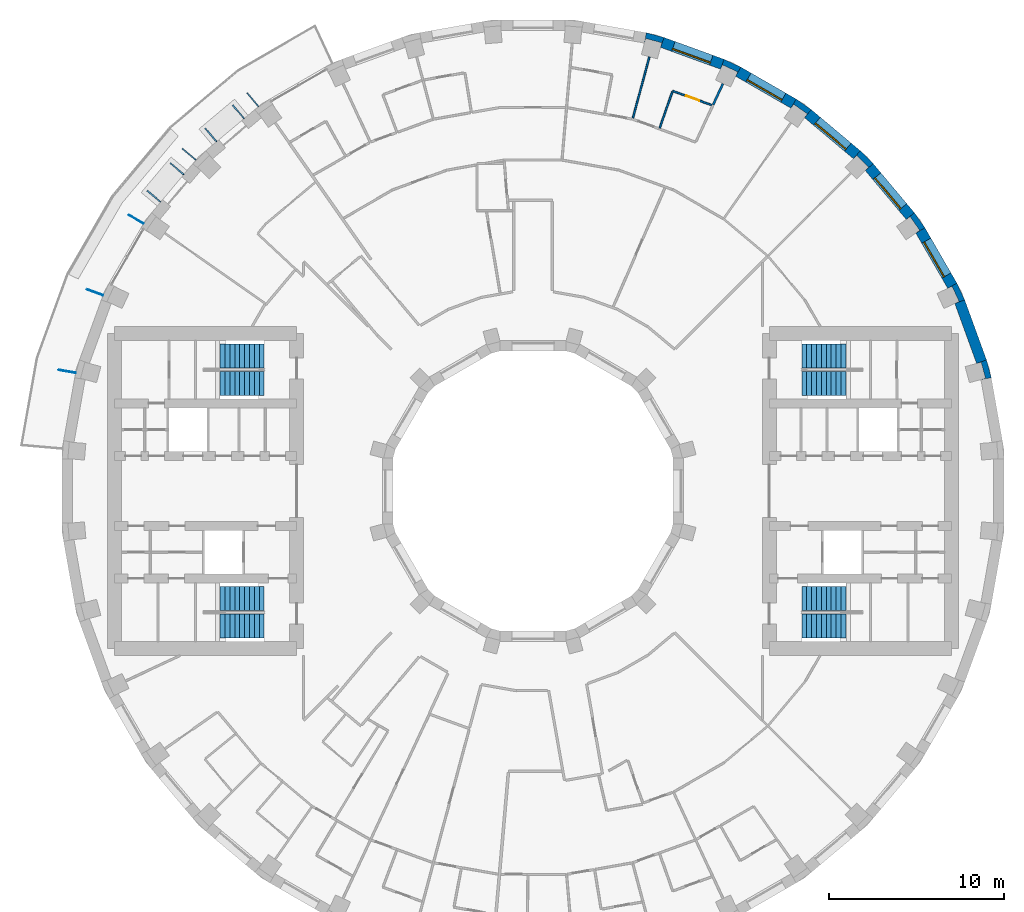
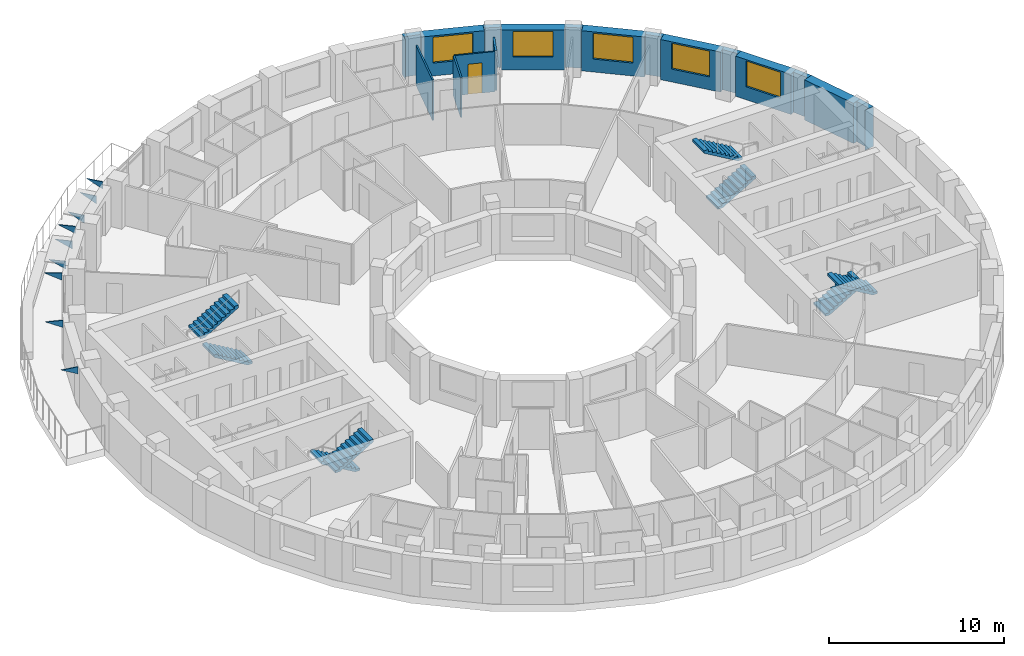
# One storey, part 13 of 14: 17 walls, 9 discrete accessories, 8 stair flights, 5 windows, 1 door, 6 openings, 4 elements without a shape of their own.
"""IFC4 building model written with IfcOpenShell, lengths in metres."""

from ifc_helpers import new_model, si_unit, direction, frame, frame_2d, origin, place, context, subcontext, project, spatial, polyline, rectangle, outline, extrude, material, layer, layer_set, type_object, element, fill, aggregate, save


model = new_model("IFC4")

# Units and contexts
model_context = context("Model", 3, precision=1e-05, world=origin(), true_north=direction((0.0, 1.0)))
body_context = subcontext(model_context, "Body", "Model", "MODEL_VIEW")
ifc_project = project(units=[si_unit("LENGTHUNIT", "METRE"), si_unit("AREAUNIT", "SQUARE_METRE"), si_unit("VOLUMEUNIT", "CUBIC_METRE"), si_unit("PLANEANGLEUNIT", "RADIAN"), si_unit("MASSUNIT", "GRAM", prefix="KILO")], contexts=[model_context])

# Site, building, storey
site_placement = place(None, origin())
site = spatial("IfcSite", under=ifc_project, at=site_placement, CompositionType="ELEMENT")
building_placement = place(site_placement, origin())
building = spatial("IfcBuilding", under=site, at=building_placement, Name="Saqina Gate Tower", CompositionType="ELEMENT")
storey_placement = place(building_placement, frame((0.0, 0.0, 105.10009765625)))
storey = spatial("IfcBuildingStorey", under=building, at=storey_placement, Name="L29", CompositionType="ELEMENT", Elevation=105.10009765625)

# Walls
ifc_material_1 = material(Name="Brick masonry (buff)", Category="masonry")
wall_type_1 = type_object("IfcWallType", Name="BRICK PIER COPING BUFF", PredefinedType="SOLIDWALL", material=ifc_material_1)
wall_1_placement = place(storey_placement, origin())
element("IfcWall", 1, at=wall_1_placement, inside=storey, type_object=wall_type_1, Name="Pier cap L29 column 2", PredefinedType="SOLIDWALL", context=body_context, shape_type="SweptSolid", body=[
    extrude(outline(polyline([(26.171875, 6.466796875), (25.89892578125, 7.485595703125), (25.335205078125, 7.2802734375), (25.5947265625, 7.349853515625), (25.8408203125, 6.43212890625), (25.5810546875, 6.36279296875), (26.171875, 6.466796875)])), origin(), (0.0, 0.0, 1.0), 2.7998046875),
])
wall_2_placement = place(storey_placement, origin())
element("IfcWall", 2, at=wall_2_placement, inside=storey, type_object=wall_type_1, Name="Pier cap L29 column 3", PredefinedType="SOLIDWALL", context=body_context, shape_type="SweptSolid", body=[
    extrude(outline(polyline([(24.6513671875, 10.913330078125), (24.205810546875, 11.869140625), (23.68603515625, 11.569091796875), (23.9296875, 11.6826171875), (24.331298828125, 10.82177734375), (24.08740234375, 10.7080078125), (24.6513671875, 10.913330078125)])), origin(), (0.0, 0.0, 1.0), 2.7998046875),
])
wall_3_placement = place(storey_placement, origin())
element("IfcWall", 3, at=wall_3_placement, inside=storey, type_object=wall_type_1, Name="Pier cap L29 column 4", PredefinedType="SOLIDWALL", context=body_context, shape_type="SweptSolid", body=[
    extrude(outline(polyline([(21.77685546875, 15.89208984375), (21.317138671875, 15.50634765625), (21.53759765625, 15.66064453125), (22.08251953125, 14.88232421875), (21.862060546875, 14.728271484375), (22.3818359375, 15.0283203125), (21.77685546875, 15.89208984375)])), origin(), (0.0, 0.0, 1.0), 2.7998046875),
])
wall_4_placement = place(storey_placement, origin())
element("IfcWall", 4, at=wall_4_placement, inside=storey, type_object=wall_type_1, Name="Pier cap L29 column 5", PredefinedType="SOLIDWALL", context=body_context, shape_type="SweptSolid", body=[
    extrude(outline(polyline([(19.43212890625, 18.686279296875), (18.686279296875, 19.43212890625), (18.30078125, 18.972412109375), (18.49072265625, 19.16259765625), (19.16259765625, 18.49072265625), (18.972412109375, 18.30078125), (19.43212890625, 18.686279296875)])), origin(), (0.0, 0.0, 1.0), 2.7998046875),
])
wall_5_placement = place(storey_placement, origin())
element("IfcWall", 5, at=wall_5_placement, inside=storey, type_object=wall_type_1, Name="Pier cap L29 column 6", PredefinedType="SOLIDWALL", context=body_context, shape_type="SweptSolid", body=[
    extrude(outline(polyline([(15.0283203125, 22.3818359375), (14.728271484375, 21.862060546875), (14.88232421875, 22.08251953125), (15.66064453125, 21.53759765625), (15.50634765625, 21.317138671875), (15.89208984375, 21.77685546875), (15.0283203125, 22.3818359375)])), origin(), (0.0, 0.0, 1.0), 2.7998046875),
])
wall_6_placement = place(storey_placement, origin())
element("IfcWall", 6, at=wall_6_placement, inside=storey, type_object=wall_type_1, Name="Pier cap L29 column 7", PredefinedType="SOLIDWALL", context=body_context, shape_type="SweptSolid", body=[
    extrude(outline(polyline([(10.913330078125, 24.6513671875), (10.7080078125, 24.08740234375), (10.82177734375, 24.331298828125), (11.6826171875, 23.9296875), (11.569091796875, 23.68603515625), (11.869140625, 24.205810546875), (10.913330078125, 24.6513671875)])), origin(), (0.0, 0.0, 1.0), 2.7998046875),
])
wall_7_placement = place(storey_placement, origin())
element("IfcWall", 7, at=wall_7_placement, inside=storey, type_object=wall_type_1, Name="Pier cap L29 column 8", PredefinedType="SOLIDWALL", context=body_context, shape_type="SweptSolid", body=[
    extrude(outline(polyline([(7.485595703125, 25.89892578125), (6.466796875, 26.171875), (6.36279296875, 25.5810546875), (6.43212890625, 25.8408203125), (7.349853515625, 25.5947265625), (7.2802734375, 25.335205078125), (7.485595703125, 25.89892578125)])), origin(), (0.0, 0.0, 1.0), 2.7998046875),
])

# Wall, opening, window
ifc_material_2 = material(Name="Brick masonry (buff)", Category="masonry")
ifc_layer_1 = layer(ifc_material_2, 0.60009765625)
ifc_layer_set_1 = layer_set([ifc_layer_1], Name="FW-BRICK-BUFF")
wall_type_2 = type_object("IfcWallType", Name="FW-BRICK-BUFF", PredefinedType="SOLIDWALL", material=ifc_layer_set_1)
wall_8_placement = place(storey_placement, frame((23.94580078125, 11.718994140625, 0.0), z_axis=(0.0, 0.0, 1.0), x_axis=(-0.499954196102, 0.866051847062, 0.0)))
wall_8 = element("IfcWall", 8, at=wall_8_placement, inside=storey, type_object=wall_type_2, Name="Facade wall L29 facet 3", PredefinedType="SOLIDWALL", context=body_context, shape_type="SweptSolid", body=[
    extrude(rectangle(XDim=3.647705078125, YDim=0.60009765625, at=frame_2d((1.82373046875, 0.0))), origin(), (0.0, 0.0, 1.0), 2.7998046875),
])
opening_1_placement = place(wall_8_placement, frame((0.673828125, 0.0, 0.89990234375)))
opening_1 = element("IfcOpeningElement", 9, at=opening_1_placement, cuts=wall_8, Name="Opening G08-W01", PredefinedType="OPENING", context=body_context, shape_type="SweptSolid", body=[
    extrude(rectangle(XDim=2.300048828125, YDim=1.800048828125, at=frame_2d((1.14990234375, 0.89990234375))), frame((0.0, 0.31201171875, 0.0), z_axis=(0.0, -1.0, 0.0), x_axis=(1.0, 0.0, 0.0)), (0.0, 0.0, 1.0), 0.6240234375),
])
ifc_material_3 = material(Name="Aluminium glazing", Category="aluminium")
window_type = type_object("IfcWindowType", Name="WN-B", PartitioningType="SINGLE_PANEL", PredefinedType="WINDOW", material=ifc_material_3)
window_1_placement = place(opening_1_placement, origin())
window_1 = element("IfcWindow", 10, at=window_1_placement, inside=storey, type_object=window_type, Name="Window L29 facet 3", OverallHeight=1.800048828125, OverallWidth=2.300048828125, PartitioningType="SINGLE_PANEL", PredefinedType="WINDOW", context=body_context, shape_type="SweptSolid", body=[
    extrude(rectangle(XDim=2.300048828125, YDim=1.800048828125, at=frame_2d((1.14990234375, 0.89990234375))), frame((0.0, 0.179931640625, 0.0), z_axis=(0.0, -1.0, 0.0), x_axis=(1.0, 0.0, 0.0)), (0.0, 0.0, 1.0), 0.06005859375),
])
fill(opening_1, window_1)

wall_9_placement = place(storey_placement, frame((21.547119140625, 15.69921875, 0.0), z_axis=(0.0, 0.0, 1.0), x_axis=(-0.642774476932, 0.766055462616, 0.0)))
wall_9 = element("IfcWall", 11, at=wall_9_placement, inside=storey, type_object=wall_type_2, Name="Facade wall L29 facet 4", PredefinedType="SOLIDWALL", context=body_context, shape_type="SweptSolid", body=[
    extrude(rectangle(XDim=3.647705078125, YDim=0.60009765625, at=frame_2d((1.82373046875, 0.0))), origin(), (0.0, 0.0, 1.0), 2.7998046875),
])
opening_2_placement = place(wall_9_placement, frame((0.673828125, 0.0, 0.89990234375)))
opening_2 = element("IfcOpeningElement", 12, at=opening_2_placement, cuts=wall_9, Name="Opening G08-W02", PredefinedType="OPENING", context=body_context, shape_type="SweptSolid", body=[
    extrude(rectangle(XDim=2.300048828125, YDim=1.800048828125, at=frame_2d((1.14990234375, 0.89990234375))), frame((0.0, 0.31201171875, 0.0), z_axis=(0.0, -1.0, 0.0), x_axis=(1.0, 0.0, 0.0)), (0.0, 0.0, 1.0), 0.6240234375),
])
window_2_placement = place(opening_2_placement, origin())
window_2 = element("IfcWindow", 13, at=window_2_placement, inside=storey, type_object=window_type, Name="Window L29 facet 4", OverallHeight=1.800048828125, OverallWidth=2.300048828125, PartitioningType="SINGLE_PANEL", PredefinedType="WINDOW", context=body_context, shape_type="SweptSolid", body=[
    extrude(rectangle(XDim=2.300048828125, YDim=1.800048828125, at=frame_2d((1.14990234375, 0.89990234375))), frame((0.0, 0.179931640625, 0.0), z_axis=(0.0, -1.0, 0.0), x_axis=(1.0, 0.0, 0.0)), (0.0, 0.0, 1.0), 0.06005859375),
])
fill(opening_2, window_2)

wall_10_placement = place(storey_placement, frame((18.49365234375, 19.202392578125, 0.0), z_axis=(0.0, 0.0, 1.0), x_axis=(-0.766055462616, 0.642774476932, 0.0)))
wall_10 = element("IfcWall", 14, at=wall_10_placement, inside=storey, type_object=wall_type_2, Name="Facade wall L29 facet 5", PredefinedType="SOLIDWALL", context=body_context, shape_type="SweptSolid", body=[
    extrude(rectangle(XDim=3.647705078125, YDim=0.60009765625, at=frame_2d((1.82373046875, 0.0))), origin(), (0.0, 0.0, 1.0), 2.7998046875),
])
opening_3_placement = place(wall_10_placement, frame((0.673828125, 0.0, 0.89990234375)))
opening_3 = element("IfcOpeningElement", 15, at=opening_3_placement, cuts=wall_10, Name="Opening G08-W03", PredefinedType="OPENING", context=body_context, shape_type="SweptSolid", body=[
    extrude(rectangle(XDim=2.300048828125, YDim=1.800048828125, at=frame_2d((1.14990234375, 0.89990234375))), frame((0.0, 0.31201171875, 0.0), z_axis=(0.0, -1.0, 0.0), x_axis=(1.0, 0.0, 0.0)), (0.0, 0.0, 1.0), 0.6240234375),
])
window_3_placement = place(opening_3_placement, origin())
window_3 = element("IfcWindow", 16, at=window_3_placement, inside=storey, type_object=window_type, Name="Window L29 facet 5", OverallHeight=1.800048828125, OverallWidth=2.300048828125, PartitioningType="SINGLE_PANEL", PredefinedType="WINDOW", context=body_context, shape_type="SweptSolid", body=[
    extrude(rectangle(XDim=2.300048828125, YDim=1.800048828125, at=frame_2d((1.14990234375, 0.89990234375))), frame((0.0, 0.179931640625, 0.0), z_axis=(0.0, -1.0, 0.0), x_axis=(1.0, 0.0, 0.0)), (0.0, 0.0, 1.0), 0.06005859375),
])
fill(opening_3, window_3)

wall_11_placement = place(storey_placement, frame((14.878173828125, 22.1220703125, 0.0), z_axis=(0.0, 0.0, 1.0), x_axis=(-0.866051847062, 0.499954196102, 0.0)))
wall_11 = element("IfcWall", 17, at=wall_11_placement, inside=storey, type_object=wall_type_2, Name="Facade wall L29 facet 6", PredefinedType="SOLIDWALL", context=body_context, shape_type="SweptSolid", body=[
    extrude(rectangle(XDim=3.647705078125, YDim=0.60009765625, at=frame_2d((1.82373046875, 0.0))), origin(), (0.0, 0.0, 1.0), 2.7998046875),
])
opening_4_placement = place(wall_11_placement, frame((0.673828125, 0.0, 0.89990234375)))
opening_4 = element("IfcOpeningElement", 18, at=opening_4_placement, cuts=wall_11, Name="Opening G08-W04", PredefinedType="OPENING", context=body_context, shape_type="SweptSolid", body=[
    extrude(rectangle(XDim=2.300048828125, YDim=1.800048828125, at=frame_2d((1.14990234375, 0.89990234375))), frame((0.0, 0.31201171875, 0.0), z_axis=(0.0, -1.0, 0.0), x_axis=(1.0, 0.0, 0.0)), (0.0, 0.0, 1.0), 0.6240234375),
])
window_4_placement = place(opening_4_placement, origin())
window_4 = element("IfcWindow", 19, at=window_4_placement, inside=storey, type_object=window_type, Name="Window L29 facet 6", OverallHeight=1.800048828125, OverallWidth=2.300048828125, PartitioningType="SINGLE_PANEL", PredefinedType="WINDOW", context=body_context, shape_type="SweptSolid", body=[
    extrude(rectangle(XDim=2.300048828125, YDim=1.800048828125, at=frame_2d((1.14990234375, 0.89990234375))), frame((0.0, 0.179931640625, 0.0), z_axis=(0.0, -1.0, 0.0), x_axis=(1.0, 0.0, 0.0)), (0.0, 0.0, 1.0), 0.06005859375),
])
fill(opening_4, window_4)

wall_12_placement = place(storey_placement, frame((10.810791015625, 24.369384765625, 0.0), z_axis=(0.0, 0.0, 1.0), x_axis=(-0.939703505393, 0.341990236633, 0.0)))
wall_12 = element("IfcWall", 20, at=wall_12_placement, inside=storey, type_object=wall_type_2, Name="Facade wall L29 facet 7", PredefinedType="SOLIDWALL", context=body_context, shape_type="SweptSolid", body=[
    extrude(rectangle(XDim=3.64794921875, YDim=0.60009765625, at=frame_2d((1.823974609375, 0.0))), origin(), (0.0, 0.0, 1.0), 2.7998046875),
])
opening_5_placement = place(wall_12_placement, frame((0.673828125, 0.0, 0.89990234375)))
opening_5 = element("IfcOpeningElement", 21, at=opening_5_placement, cuts=wall_12, Name="Opening G08-W05", PredefinedType="OPENING", context=body_context, shape_type="SweptSolid", body=[
    extrude(rectangle(XDim=2.300048828125, YDim=1.800048828125, at=frame_2d((1.14990234375, 0.89990234375))), frame((0.0, 0.31201171875, 0.0), z_axis=(0.0, -1.0, 0.0), x_axis=(1.0, 0.0, 0.0)), (0.0, 0.0, 1.0), 0.6240234375),
])
window_5_placement = place(opening_5_placement, origin())
window_5 = element("IfcWindow", 22, at=window_5_placement, inside=storey, type_object=window_type, Name="Window L29 facet 7", OverallHeight=1.800048828125, OverallWidth=2.300048828125, PartitioningType="SINGLE_PANEL", PredefinedType="WINDOW", context=body_context, shape_type="SweptSolid", body=[
    extrude(rectangle(XDim=2.300048828125, YDim=1.800048828125, at=frame_2d((1.14990234375, 0.89990234375))), frame((0.0, 0.179931640625, 0.0), z_axis=(0.0, -1.0, 0.0), x_axis=(1.0, 0.0, 0.0)), (0.0, 0.0, 1.0), 0.06005859375),
])
fill(opening_5, window_5)

# Wall
ifc_material_4 = material(Name="Glazed ceramic tile", Category="ceramic")
ifc_layer_2 = layer(ifc_material_4, 0.60009765625)
ifc_layer_set_2 = layer_set([ifc_layer_2], Name="FW-TILE")
wall_type_3 = type_object("IfcWallType", Name="FW-TILE", PredefinedType="SOLIDWALL", material=ifc_layer_set_2)
wall_13_placement = place(storey_placement, frame((25.616943359375, 7.3828125, 0.0), z_axis=(0.0, 0.0, 1.0), x_axis=(-0.341990236633, 0.939703505393, 0.0)))
element("IfcWall", 23, at=wall_13_placement, inside=storey, type_object=wall_type_3, Name="Facade wall L29 facet 2", PredefinedType="SOLIDWALL", context=body_context, shape_type="SweptSolid", body=[
    extrude(rectangle(XDim=3.64794921875, YDim=0.60009765625, at=frame_2d((1.823974609375, 0.0))), origin(), (0.0, 0.0, 1.0), 2.7998046875),
])

# Wall, opening, door
ifc_material_5 = material(Name="Gypsum board on steel studs, 100 mm", Category="steel")
ifc_layer_3 = layer(ifc_material_5, 0.10009765625)
ifc_layer_set_3 = layer_set([ifc_layer_3], Name="PARTITION 100")
wall_type_4 = type_object("IfcWallType", Name="PARTITION 100", PredefinedType="PARTITIONING", material=ifc_layer_set_3)
wall_14_placement = place(storey_placement, frame((7.97607421875, 22.846923828125, 0.0), z_axis=(0.0, 0.0, 1.0), x_axis=(0.939727609181, -0.341923998196, 0.0)))
wall_14 = element("IfcWall", 24, at=wall_14_placement, inside=storey, type_object=wall_type_4, Name="PARTITION PW3-36", PredefinedType="PARTITIONING", context=body_context, shape_type="SweptSolid", body=[
    extrude(rectangle(XDim=2.38330078125, YDim=0.10009765625, at=frame_2d((1.191650390625, 0.0))), origin(), (0.0, 0.0, 1.0), 2.7998046875),
])
opening_6_placement = place(wall_14_placement, frame((0.81787109375, 0.0, 0.0)))
opening_6 = element("IfcOpeningElement", 25, at=opening_6_placement, cuts=wall_14, Name="Opening G08-D05", PredefinedType="OPENING", context=body_context, shape_type="SweptSolid", body=[
    extrude(rectangle(XDim=0.800048828125, YDim=2.10009765625, at=frame_2d((0.39990234375, 1.050048828125))), frame((0.0, 0.06201171875, 0.0), z_axis=(0.0, -1.0, 0.0), x_axis=(1.0, 0.0, 0.0)), (0.0, 0.0, 1.0), 0.1240234375),
])
ifc_material_6 = material(Name="Timber door leaf, 800 mm", Category="wood")
door_type = type_object("IfcDoorType", Name="DOOR 800 TIMBER", OperationType="SINGLE_SWING_LEFT", PredefinedType="DOOR", material=ifc_material_6)
door_placement = place(opening_6_placement, origin())
door = element("IfcDoor", 26, at=door_placement, inside=storey, type_object=door_type, Name="DOOR G08-D05", OperationType="SINGLE_SWING_RIGHT", OverallHeight=2.10009765625, OverallWidth=0.800048828125, PredefinedType="DOOR", context=body_context, shape_type="SweptSolid", body=[
    extrude(rectangle(XDim=0.800048828125, YDim=2.10009765625, at=frame_2d((0.39990234375, 1.050048828125))), frame((0.0, 0.02490234375, 0.0), z_axis=(0.0, -1.0, 0.0), x_axis=(1.0, 0.0, 0.0)), (0.0, 0.0, 1.0), 0.050048828125),
])
fill(opening_6, door)

# Walls
wall_15_placement = place(storey_placement, frame((7.234375, 20.72314453125, 0.0), z_axis=(0.0, 0.0, 1.0), x_axis=(0.329648286048, 0.944103811827, 0.0)))
element("IfcWall", 27, at=wall_15_placement, inside=storey, type_object=wall_type_4, Name="PARTITION PW3-87", PredefinedType="PARTITIONING", context=body_context, shape_type="SweptSolid", body=[
    extrude(rectangle(XDim=2.19970703125, YDim=0.10009765625, at=frame_2d((1.099853515625, 0.0))), origin(), (0.0, 0.0, 1.0), 2.7998046875),
])
wall_16_placement = place(storey_placement, frame((5.705078125, 21.29248046875, 0.0), z_axis=(0.0, 0.0, 1.0), x_axis=(0.258807972942, 0.965928792997, 0.0)))
element("IfcWall", 28, at=wall_16_placement, inside=storey, type_object=wall_type_4, Name="PARTITION PW3-89", PredefinedType="PARTITIONING", context=body_context, shape_type="SweptSolid", body=[
    extrude(rectangle(XDim=3.621337890625, YDim=0.10009765625, at=frame_2d((1.810546875, 0.0))), origin(), (0.0, 0.0, 1.0), 2.7998046875),
])
ifc_material_7 = material(Name="Gypsum board on steel studs, 125 mm, fire rated", Category="steel")
ifc_layer_4 = layer(ifc_material_7, 0.125)
ifc_layer_set_4 = layer_set([ifc_layer_4], Name="PARTITION EI 30 125")
wall_type_5 = type_object("IfcWallType", Name="PARTITION EI 30 125", PredefinedType="PARTITIONING", material=ifc_layer_set_4)
wall_17_placement = place(storey_placement, frame((10.286376953125, 22.05908203125, 0.0), z_axis=(0.0, 0.0, 1.0), x_axis=(0.422582903395, 0.906324274064, 0.0)))
element("IfcWall", 29, at=wall_17_placement, inside=storey, type_object=wall_type_5, Name="PARTITION PW1-53", PredefinedType="PARTITIONING", context=body_context, shape_type="SweptSolid", body=[
    extrude(rectangle(XDim=1.325439453125, YDim=0.125, at=frame_2d((0.66259765625, 0.0))), origin(), (0.0, 0.0, 1.0), 2.7998046875),
])

# Stair, stair flights
ifc_material_8 = material(Name="Concrete C40/50", Category="concrete")
stair_type = type_object("IfcStairType", Name="EXIT STAIR", PredefinedType="HALF_TURN_STAIR", material=ifc_material_8)
stair_1_placement = place(storey_placement, origin())
stair_1 = element("IfcStair", 30, at=stair_1_placement, inside=storey, type_object=stair_type, Name="EXIT STAIR 1", PredefinedType="HALF_TURN_STAIR")
ifc_material_9 = material(Name="Concrete C40/50", Category="concrete")
stair_flight_type = type_object("IfcStairFlightType", Name="EXIT STAIR FLIGHT", PredefinedType="STRAIGHT", material=ifc_material_9)
stair_flight_1_placement = place(storey_placement, frame((15.35009765625, 6.1416015625, 0.0), z_axis=(0.0, 0.0, 1.0), x_axis=(1.0, 0.0, 0.0)))
stair_flight_1 = element("IfcStairFlight", 31, at=stair_flight_1_placement, type_object=stair_flight_type, Name="EXIT STAIR 1 FLIGHT 1", NumberOfRisers=10, NumberOfTreads=9, PredefinedType="STRAIGHT", RiserHeight=0.165, TreadLength=0.28, context=body_context, shape_type="SweptSolid", body=[
    extrude(outline(polyline([(0.0, 0.0), (0.0, 0.1650390625), (0.280029296875, 0.1650390625), (0.280029296875, 0.330078125), (0.56005859375, 0.330078125), (0.56005859375, 0.4951171875), (0.840087890625, 0.4951171875), (0.840087890625, 0.659912109375), (1.1201171875, 0.659912109375), (1.1201171875, 0.824951171875), (1.39990234375, 0.824951171875), (1.39990234375, 0.989990234375), (1.679931640625, 0.989990234375), (1.679931640625, 1.155029296875), (1.9599609375, 1.155029296875), (1.9599609375, 1.320068359375), (2.239990234375, 1.320068359375), (2.239990234375, 1.485107421875), (2.52001953125, 1.485107421875), (2.52001953125, 1.64990234375), (2.52001953125, 1.31103515625), (0.295166015625, 0.0), (0.0, 0.0)])), frame((0.0, 0.675048828125, 0.0), z_axis=(0.0, -1.0, 0.0), x_axis=(1.0, 0.0, 0.0)), (0.0, 0.0, 1.0), 1.35009765625),
])
stair_flight_2_placement = place(storey_placement, frame((17.8701171875, 7.708251953125, 1.64990234375), z_axis=(0.0, 0.0, 1.0), x_axis=(-1.0, 0.0, 0.0)))
stair_flight_2 = element("IfcStairFlight", 32, at=stair_flight_2_placement, type_object=stair_flight_type, Name="EXIT STAIR 1 FLIGHT 2", NumberOfRisers=10, NumberOfTreads=9, PredefinedType="STRAIGHT", RiserHeight=0.165, TreadLength=0.28, context=body_context, shape_type="SweptSolid", body=[
    extrude(outline(polyline([(0.0, 0.0), (0.0, 0.1650390625), (0.280029296875, 0.1650390625), (0.280029296875, 0.330078125), (0.56005859375, 0.330078125), (0.56005859375, 0.4951171875), (0.840087890625, 0.4951171875), (0.840087890625, 0.659912109375), (1.1201171875, 0.659912109375), (1.1201171875, 0.824951171875), (1.39990234375, 0.824951171875), (1.39990234375, 0.989990234375), (1.679931640625, 0.989990234375), (1.679931640625, 1.155029296875), (1.9599609375, 1.155029296875), (1.9599609375, 1.320068359375), (2.239990234375, 1.320068359375), (2.239990234375, 1.485107421875), (2.52001953125, 1.485107421875), (2.52001953125, 1.64990234375), (2.52001953125, 1.31103515625), (0.295166015625, 0.0), (0.0, 0.0)])), frame((0.0, 0.675048828125, 0.0), z_axis=(0.0, -1.0, 0.0), x_axis=(1.0, 0.0, 0.0)), (0.0, 0.0, 1.0), 1.35009765625),
])
aggregate(stair_1, [stair_flight_1, stair_flight_2])

stair_2_placement = place(storey_placement, origin())
stair_2 = element("IfcStair", 33, at=stair_2_placement, inside=storey, type_object=stair_type, Name="EXIT STAIR 2", PredefinedType="HALF_TURN_STAIR")
stair_flight_3_placement = place(storey_placement, frame((15.35009765625, -6.1416015625, 0.0), z_axis=(0.0, 0.0, 1.0), x_axis=(1.0, 0.0, 0.0)))
stair_flight_3 = element("IfcStairFlight", 34, at=stair_flight_3_placement, type_object=stair_flight_type, Name="EXIT STAIR 2 FLIGHT 1", NumberOfRisers=10, NumberOfTreads=9, PredefinedType="STRAIGHT", RiserHeight=0.165, TreadLength=0.28, context=body_context, shape_type="SweptSolid", body=[
    extrude(outline(polyline([(0.0, 0.0), (0.0, 0.1650390625), (0.280029296875, 0.1650390625), (0.280029296875, 0.330078125), (0.56005859375, 0.330078125), (0.56005859375, 0.4951171875), (0.840087890625, 0.4951171875), (0.840087890625, 0.659912109375), (1.1201171875, 0.659912109375), (1.1201171875, 0.824951171875), (1.39990234375, 0.824951171875), (1.39990234375, 0.989990234375), (1.679931640625, 0.989990234375), (1.679931640625, 1.155029296875), (1.9599609375, 1.155029296875), (1.9599609375, 1.320068359375), (2.239990234375, 1.320068359375), (2.239990234375, 1.485107421875), (2.52001953125, 1.485107421875), (2.52001953125, 1.64990234375), (2.52001953125, 1.31103515625), (0.295166015625, 0.0), (0.0, 0.0)])), frame((0.0, 0.675048828125, 0.0), z_axis=(0.0, -1.0, 0.0), x_axis=(1.0, 0.0, 0.0)), (0.0, 0.0, 1.0), 1.35009765625),
])
stair_flight_4_placement = place(storey_placement, frame((17.8701171875, -7.708251953125, 1.64990234375), z_axis=(0.0, 0.0, 1.0), x_axis=(-1.0, 0.0, 0.0)))
stair_flight_4 = element("IfcStairFlight", 35, at=stair_flight_4_placement, type_object=stair_flight_type, Name="EXIT STAIR 2 FLIGHT 2", NumberOfRisers=10, NumberOfTreads=9, PredefinedType="STRAIGHT", RiserHeight=0.165, TreadLength=0.28, context=body_context, shape_type="SweptSolid", body=[
    extrude(outline(polyline([(0.0, 0.0), (0.0, 0.1650390625), (0.280029296875, 0.1650390625), (0.280029296875, 0.330078125), (0.56005859375, 0.330078125), (0.56005859375, 0.4951171875), (0.840087890625, 0.4951171875), (0.840087890625, 0.659912109375), (1.1201171875, 0.659912109375), (1.1201171875, 0.824951171875), (1.39990234375, 0.824951171875), (1.39990234375, 0.989990234375), (1.679931640625, 0.989990234375), (1.679931640625, 1.155029296875), (1.9599609375, 1.155029296875), (1.9599609375, 1.320068359375), (2.239990234375, 1.320068359375), (2.239990234375, 1.485107421875), (2.52001953125, 1.485107421875), (2.52001953125, 1.64990234375), (2.52001953125, 1.31103515625), (0.295166015625, 0.0), (0.0, 0.0)])), frame((0.0, 0.675048828125, 0.0), z_axis=(0.0, -1.0, 0.0), x_axis=(1.0, 0.0, 0.0)), (0.0, 0.0, 1.0), 1.35009765625),
])
aggregate(stair_2, [stair_flight_3, stair_flight_4])

stair_3_placement = place(storey_placement, origin())
stair_3 = element("IfcStair", 36, at=stair_3_placement, inside=storey, type_object=stair_type, Name="EXIT STAIR 3", PredefinedType="HALF_TURN_STAIR")
stair_flight_5_placement = place(storey_placement, frame((-15.35009765625, 6.1416015625, 0.0), z_axis=(0.0, 0.0, 1.0), x_axis=(-1.0, 0.0, 0.0)))
stair_flight_5 = element("IfcStairFlight", 37, at=stair_flight_5_placement, type_object=stair_flight_type, Name="EXIT STAIR 3 FLIGHT 1", NumberOfRisers=10, NumberOfTreads=9, PredefinedType="STRAIGHT", RiserHeight=0.165, TreadLength=0.28, context=body_context, shape_type="SweptSolid", body=[
    extrude(outline(polyline([(0.0, 0.0), (0.0, 0.1650390625), (0.280029296875, 0.1650390625), (0.280029296875, 0.330078125), (0.56005859375, 0.330078125), (0.56005859375, 0.4951171875), (0.840087890625, 0.4951171875), (0.840087890625, 0.659912109375), (1.1201171875, 0.659912109375), (1.1201171875, 0.824951171875), (1.39990234375, 0.824951171875), (1.39990234375, 0.989990234375), (1.679931640625, 0.989990234375), (1.679931640625, 1.155029296875), (1.9599609375, 1.155029296875), (1.9599609375, 1.320068359375), (2.239990234375, 1.320068359375), (2.239990234375, 1.485107421875), (2.52001953125, 1.485107421875), (2.52001953125, 1.64990234375), (2.52001953125, 1.31103515625), (0.295166015625, 0.0), (0.0, 0.0)])), frame((0.0, 0.675048828125, 0.0), z_axis=(0.0, -1.0, 0.0), x_axis=(1.0, 0.0, 0.0)), (0.0, 0.0, 1.0), 1.35009765625),
])
stair_flight_6_placement = place(storey_placement, frame((-17.8701171875, 7.708251953125, 1.64990234375), z_axis=(0.0, 0.0, 1.0), x_axis=(1.0, 0.0, 0.0)))
stair_flight_6 = element("IfcStairFlight", 38, at=stair_flight_6_placement, type_object=stair_flight_type, Name="EXIT STAIR 3 FLIGHT 2", NumberOfRisers=10, NumberOfTreads=9, PredefinedType="STRAIGHT", RiserHeight=0.165, TreadLength=0.28, context=body_context, shape_type="SweptSolid", body=[
    extrude(outline(polyline([(0.0, 0.0), (0.0, 0.1650390625), (0.280029296875, 0.1650390625), (0.280029296875, 0.330078125), (0.56005859375, 0.330078125), (0.56005859375, 0.4951171875), (0.840087890625, 0.4951171875), (0.840087890625, 0.659912109375), (1.1201171875, 0.659912109375), (1.1201171875, 0.824951171875), (1.39990234375, 0.824951171875), (1.39990234375, 0.989990234375), (1.679931640625, 0.989990234375), (1.679931640625, 1.155029296875), (1.9599609375, 1.155029296875), (1.9599609375, 1.320068359375), (2.239990234375, 1.320068359375), (2.239990234375, 1.485107421875), (2.52001953125, 1.485107421875), (2.52001953125, 1.64990234375), (2.52001953125, 1.31103515625), (0.295166015625, 0.0), (0.0, 0.0)])), frame((0.0, 0.675048828125, 0.0), z_axis=(0.0, -1.0, 0.0), x_axis=(1.0, 0.0, 0.0)), (0.0, 0.0, 1.0), 1.35009765625),
])
aggregate(stair_3, [stair_flight_5, stair_flight_6])

stair_4_placement = place(storey_placement, origin())
stair_4 = element("IfcStair", 39, at=stair_4_placement, inside=storey, type_object=stair_type, Name="EXIT STAIR 4", PredefinedType="HALF_TURN_STAIR")
stair_flight_7_placement = place(storey_placement, frame((-15.35009765625, -6.1416015625, 0.0), z_axis=(0.0, 0.0, 1.0), x_axis=(-1.0, 0.0, 0.0)))
stair_flight_7 = element("IfcStairFlight", 40, at=stair_flight_7_placement, type_object=stair_flight_type, Name="EXIT STAIR 4 FLIGHT 1", NumberOfRisers=10, NumberOfTreads=9, PredefinedType="STRAIGHT", RiserHeight=0.165, TreadLength=0.28, context=body_context, shape_type="SweptSolid", body=[
    extrude(outline(polyline([(0.0, 0.0), (0.0, 0.1650390625), (0.280029296875, 0.1650390625), (0.280029296875, 0.330078125), (0.56005859375, 0.330078125), (0.56005859375, 0.4951171875), (0.840087890625, 0.4951171875), (0.840087890625, 0.659912109375), (1.1201171875, 0.659912109375), (1.1201171875, 0.824951171875), (1.39990234375, 0.824951171875), (1.39990234375, 0.989990234375), (1.679931640625, 0.989990234375), (1.679931640625, 1.155029296875), (1.9599609375, 1.155029296875), (1.9599609375, 1.320068359375), (2.239990234375, 1.320068359375), (2.239990234375, 1.485107421875), (2.52001953125, 1.485107421875), (2.52001953125, 1.64990234375), (2.52001953125, 1.31103515625), (0.295166015625, 0.0), (0.0, 0.0)])), frame((0.0, 0.675048828125, 0.0), z_axis=(0.0, -1.0, 0.0), x_axis=(1.0, 0.0, 0.0)), (0.0, 0.0, 1.0), 1.35009765625),
])
stair_flight_8_placement = place(storey_placement, frame((-17.8701171875, -7.708251953125, 1.64990234375), z_axis=(0.0, 0.0, 1.0), x_axis=(1.0, 0.0, 0.0)))
stair_flight_8 = element("IfcStairFlight", 41, at=stair_flight_8_placement, type_object=stair_flight_type, Name="EXIT STAIR 4 FLIGHT 2", NumberOfRisers=10, NumberOfTreads=9, PredefinedType="STRAIGHT", RiserHeight=0.165, TreadLength=0.28, context=body_context, shape_type="SweptSolid", body=[
    extrude(outline(polyline([(0.0, 0.0), (0.0, 0.1650390625), (0.280029296875, 0.1650390625), (0.280029296875, 0.330078125), (0.56005859375, 0.330078125), (0.56005859375, 0.4951171875), (0.840087890625, 0.4951171875), (0.840087890625, 0.659912109375), (1.1201171875, 0.659912109375), (1.1201171875, 0.824951171875), (1.39990234375, 0.824951171875), (1.39990234375, 0.989990234375), (1.679931640625, 0.989990234375), (1.679931640625, 1.155029296875), (1.9599609375, 1.155029296875), (1.9599609375, 1.320068359375), (2.239990234375, 1.320068359375), (2.239990234375, 1.485107421875), (2.52001953125, 1.485107421875), (2.52001953125, 1.64990234375), (2.52001953125, 1.31103515625), (0.295166015625, 0.0), (0.0, 0.0)])), frame((0.0, 0.675048828125, 0.0), z_axis=(0.0, -1.0, 0.0), x_axis=(1.0, 0.0, 0.0)), (0.0, 0.0, 1.0), 1.35009765625),
])
aggregate(stair_4, [stair_flight_7, stair_flight_8])

# Discrete accessories
ifc_material_10 = material(Name="Galvanised steel", Category="steel")
ifc_layer_5 = layer(ifc_material_10, 0.050048828125)
ifc_layer_set_5 = layer_set([ifc_layer_5], Name="BR-AWNING")
discrete_accessory_type_1 = type_object("IfcDiscreteAccessoryType", Name="BR-AWNING", PredefinedType="BRACKET", material=ifc_layer_set_5)
discrete_accessory_1_placement = place(storey_placement, frame((-16.52392578125, 21.24658203125, 1.974853515625), z_axis=(-0.766055819685, -0.64277405138, 0.0), x_axis=(0.0, 0.0, 1.0)))
element("IfcDiscreteAccessory", 42, at=discrete_accessory_1_placement, inside=storey, type_object=discrete_accessory_type_1, Name="Awning bracket L29 facet 13", PredefinedType="BRACKET", context=body_context, shape_type="SweptSolid", body=[
    extrude(outline(polyline([(0.0, 0.0), (0.550048828125, 0.0), (0.550048828125, 1.0000750096322273), (0.0, 0.0)])), origin(), (0.0, 0.0, -1.0), 0.050048828125),
])
discrete_accessory_2_placement = place(storey_placement, frame((-18.0927734375, 19.930419921875, 1.974853515625), z_axis=(-0.765954930181, -0.642894271969, 0.0), x_axis=(0.0, 0.0, 1.0)))
element("IfcDiscreteAccessory", 43, at=discrete_accessory_2_placement, inside=storey, type_object=discrete_accessory_type_1, Name="Awning bracket L29 facet 13", PredefinedType="BRACKET", context=body_context, shape_type="SweptSolid", body=[
    extrude(outline(polyline([(0.0, 0.0), (0.550048828125, 0.0), (0.550048828125, 0.9998879966000863), (0.0, 0.0)])), origin(), (0.0, 0.0, -1.0), 0.050048828125),
])
for number, where, z_axis, x_axis, name in (
    (44, (-19.96240234375, 18.054443359375, 1.974853515625), (-0.64277405138, -0.766055819685, 0.0), (0.0, 0.0, 1.0), "Awning bracket L29 facet 14"),
    (45, (-21.27880859375, 16.485595703125, 1.974853515625), (-0.64277405138, -0.766055819685, 0.0), (0.0, 0.0, 1.0), "Awning bracket L29 facet 14"),
):
    element("IfcDiscreteAccessory", number, at=place(storey_placement, frame(where, z_axis=z_axis, x_axis=x_axis)), inside=storey, type_object=discrete_accessory_type_1, Name=name, PredefinedType="BRACKET", context=body_context, shape_type="SweptSolid", body=[
        extrude(outline(polyline([(0.0, 0.0), (0.550048828125, 0.0), (0.550048828125, 1.0000750096322273), (0.0, 0.0)])), origin(), (0.0, 0.0, -1.0), 0.050048828125),
    ])
ifc_material_11 = material(Name="Galvanised steel", Category="steel")
ifc_layer_6 = layer(ifc_material_11, 0.050048828125)
ifc_layer_set_6 = layer_set([ifc_layer_6], Name="BR-GUSSET")
discrete_accessory_type_2 = type_object("IfcDiscreteAccessoryType", Name="BR-GUSSET", PredefinedType="BRACKET", material=ifc_layer_set_6)
for number, where, z_axis, x_axis, name in (
    (46, (-15.697265625, 21.940185546875, 2.2998046875), (-0.766055819685, -0.64277405138, 0.0), (0.0, 0.0, 1.0), "Terrace slab bracket L30 1"),
    (47, (-19.2685546875, 18.881103515625, 2.2998046875), (-0.64277405138, -0.766055819685, 0.0), (0.0, 0.0, 1.0), "Terrace slab bracket L30 2"),
):
    element("IfcDiscreteAccessory", number, at=place(storey_placement, frame(where, z_axis=z_axis, x_axis=x_axis)), inside=storey, type_object=discrete_accessory_type_2, Name=name, PredefinedType="BRACKET", context=body_context, shape_type="SweptSolid", body=[
        extrude(outline(polyline([(0.0, 0.0), (0.5, 0.0), (0.5, 1.0000750096322275), (0.0, 0.0)])), origin(), (0.0, 0.0, -1.0), 0.050048828125),
    ])
discrete_accessory_3_placement = place(storey_placement, frame((-22.254638671875, 15.248291015625, 2.2998046875), z_axis=(-0.50002537861, -0.866010750942, 0.0), x_axis=(0.0, 0.0, 1.0)))
element("IfcDiscreteAccessory", 48, at=discrete_accessory_3_placement, inside=storey, type_object=discrete_accessory_type_2, Name="Terrace slab bracket L30 3", PredefinedType="BRACKET", context=body_context, shape_type="SweptSolid", body=[
    extrude(outline(polyline([(0.0, 0.0), (0.5, 0.0), (0.5, 0.9999492453569568), (0.0, 0.0)])), origin(), (0.0, 0.0, -1.0), 0.050048828125),
])
discrete_accessory_4_placement = place(storey_placement, frame((-24.564453125, 11.15234375, 2.2998046875), z_axis=(-0.342037080957, -0.939686455819, 0.0), x_axis=(0.0, 0.0, 1.0)))
element("IfcDiscreteAccessory", 49, at=discrete_accessory_4_placement, inside=storey, type_object=discrete_accessory_type_2, Name="Terrace slab bracket L30 4", PredefinedType="BRACKET", context=body_context, shape_type="SweptSolid", body=[
    extrude(outline(polyline([(0.0, 0.0), (0.5, 0.0), (0.5, 1.000011503630275), (0.0, 0.0)])), origin(), (0.0, 0.0, -1.0), 0.050048828125),
])
discrete_accessory_5_placement = place(storey_placement, frame((-26.127685546875, 6.71728515625, 2.2998046875), z_axis=(-0.173576426815, -0.984820401928, 0.0), x_axis=(0.0, 0.0, 1.0)))
element("IfcDiscreteAccessory", 50, at=discrete_accessory_5_placement, inside=storey, type_object=discrete_accessory_type_2, Name="Terrace slab bracket L30 5", PredefinedType="BRACKET", context=body_context, shape_type="SweptSolid", body=[
    extrude(outline(polyline([(0.0, 0.0), (0.5, 0.0), (0.5, 1.000043540245132), (0.0, 0.0)])), origin(), (0.0, 0.0, -1.0), 0.050048828125),
])

save(model, "model.ifc")
